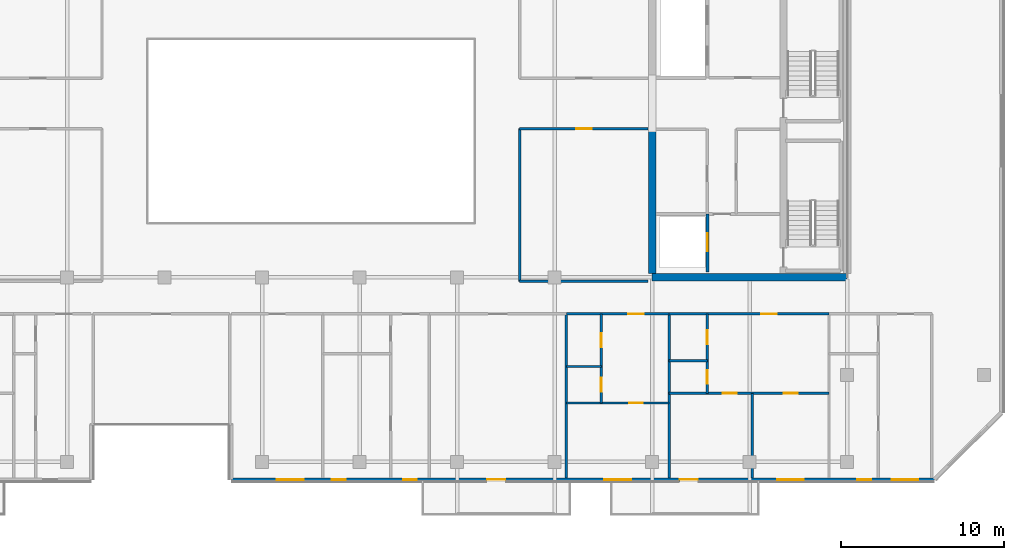
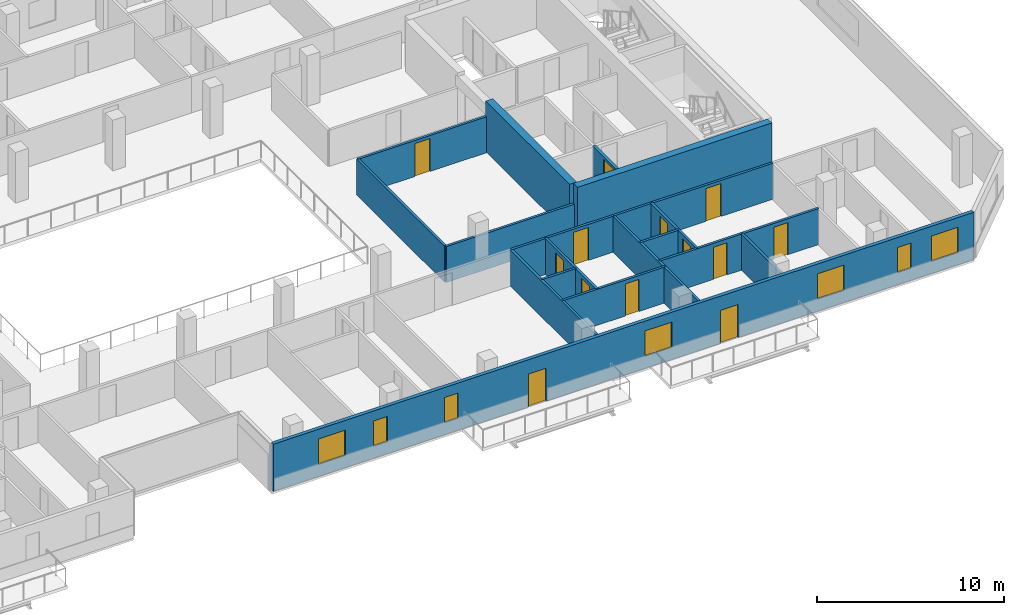
# One storey, part 8 of 16: 18 walls, 13 doors, 7 windows, 20 openings.
"""IFC4 building model written with IfcOpenShell, lengths in metres."""

from ifc_helpers import new_model, si_unit, direction, frame, frame_2d, origin, place, context, subcontext, project, spatial, rectangle, extrude, material, layer, layer_set, type_object, element, fill, save


model = new_model("IFC4")

# Units and contexts
model_context = context("Model", 3, precision=1e-05, world=origin(), true_north=direction((0.0, 1.0)))
body_context = subcontext(model_context, "Body", "Model", "MODEL_VIEW")
ifc_project = project(units=[si_unit("LENGTHUNIT", "METRE"), si_unit("AREAUNIT", "SQUARE_METRE"), si_unit("VOLUMEUNIT", "CUBIC_METRE"), si_unit("PLANEANGLEUNIT", "RADIAN"), si_unit("MASSUNIT", "GRAM", prefix="KILO")], contexts=[model_context])

# Site, building, storey
site_placement = place(None, origin())
site = spatial("IfcSite", under=ifc_project, at=site_placement, CompositionType="ELEMENT")
building_placement = place(site_placement, origin())
building = spatial("IfcBuilding", under=site, at=building_placement, Name="Tanjung Sevakor Pilgrim Tower", CompositionType="ELEMENT")
storey_placement = place(building_placement, frame((0.0, 0.0, 198.330078125)))
storey = spatial("IfcBuildingStorey", under=building, at=storey_placement, Name="L55", CompositionType="ELEMENT", Elevation=198.330078125)

# Walls
ifc_material_1 = material(Name="Concrete C60/75", Category="concrete")
ifc_layer_1 = layer(ifc_material_1, 0.449951171875)
ifc_layer_set_1 = layer_set([ifc_layer_1], Name="WALL-CW-450")
wall_type_1 = type_object("IfcWallType", Name="WALL-CW-450", PredefinedType="SHEAR", material=ifc_layer_set_1)
wall_1_placement = place(storey_placement, frame((78.0, 24.60009765625, 0.0), z_axis=(0.0, 0.0, 1.0), x_axis=(1.0, 0.0, 0.0)))
element("IfcWall", 1, at=wall_1_placement, inside=storey, type_object=wall_type_1, Name="L55 E Core South Shear Wall", PredefinedType="SHEAR", context=body_context, shape_type="SweptSolid", body=[
    extrude(rectangle(XDim=12.0, YDim=0.449951171875, at=frame_2d((6.0, 0.0))), origin(), (0.0, 0.0, 1.0), 3.2998046875),
])
wall_2_placement = place(storey_placement, frame((78.0, 24.824951171875, 0.0), z_axis=(0.0, 0.0, 1.0), x_axis=(0.0, 1.0, 0.0)))
element("IfcWall", 2, at=wall_2_placement, inside=storey, type_object=wall_type_1, Name="L55 E Core Inner Shear Wall South", PredefinedType="SHEAR", context=body_context, shape_type="SweptSolid", body=[
    extrude(rectangle(XDim=8.97509765625, YDim=0.449951171875, at=frame_2d((4.487548828125, 0.0))), origin(), (0.0, 0.0, 1.0), 3.2998046875),
])
ifc_material_2 = material(Name="Concrete C40/50", Category="concrete")
ifc_layer_2 = layer(ifc_material_2, 0.14990234375)
ifc_layer_set_2 = layer_set([ifc_layer_2], Name="WT-COMP-150")
wall_type_2 = type_object("IfcWallType", Name="WT-COMP-150", PredefinedType="SOLIDWALL", material=ifc_layer_set_2)
wall_3_placement = place(storey_placement, frame((69.85009765625, 24.35009765625, 0.0), z_axis=(0.0, 0.0, 1.0), x_axis=(1.0, 0.0, 0.0)))
element("IfcWall", 3, at=wall_3_placement, inside=storey, type_object=wall_type_2, Name="L55 Partition IW-L55-025", PredefinedType="SOLIDWALL", context=body_context, shape_type="SweptSolid", body=[
    extrude(rectangle(XDim=7.90478515625, YDim=0.14990234375, at=frame_2d((3.952392578125, 0.0))), origin(), (0.0, 0.0, 1.0), 2.35009765625),
])

# Wall, opening, door
wall_4_placement = place(storey_placement, frame((69.85009765625, 33.75, 0.0), z_axis=(0.0, 0.0, 1.0), x_axis=(1.0, 0.0, 0.0)))
wall_4 = element("IfcWall", 4, at=wall_4_placement, inside=storey, type_object=wall_type_2, Name="L55 Partition IW-L55-026", PredefinedType="SOLIDWALL", context=body_context, shape_type="SweptSolid", body=[
    extrude(rectangle(XDim=7.90478515625, YDim=0.14990234375, at=frame_2d((3.952392578125, 0.0))), origin(), (0.0, 0.0, 1.0), 2.35009765625),
])
opening_1_placement = place(wall_4_placement, frame((3.4775390625, 0.0, 0.0)))
opening_1 = element("IfcOpeningElement", 5, at=opening_1_placement, cuts=wall_4, Name="Opening ID-RM1", PredefinedType="OPENING", context=body_context, shape_type="SweptSolid", body=[
    extrude(rectangle(XDim=0.949951171875, YDim=2.14990234375, at=frame_2d((0.47509765625, 1.074951171875))), frame((0.0, 0.0849609375, 0.0), z_axis=(0.0, -1.0, 0.0), x_axis=(1.0, 0.0, 0.0)), (0.0, 0.0, 1.0), 0.169921875),
])
ifc_material_3 = material(Name="Hardwood Timber", Category="wood")
door_type_1 = type_object("IfcDoorType", Name="DT-INT-950", OperationType="NOTDEFINED", PredefinedType="DOOR", material=ifc_material_3)
door_1_placement = place(opening_1_placement, origin())
door_1 = element("IfcDoor", 6, at=door_1_placement, inside=storey, type_object=door_type_1, Name="L55 East Inboard South Door", OperationType="SINGLE_SWING_RIGHT", OverallHeight=2.14990234375, OverallWidth=0.949951171875, PredefinedType="DOOR", context=body_context, shape_type="SweptSolid", body=[
    extrude(rectangle(XDim=0.949951171875, YDim=2.14990234375, at=frame_2d((0.47509765625, 1.074951171875))), frame((0.0, 0.02490234375, 0.0), z_axis=(0.0, -1.0, 0.0), x_axis=(1.0, 0.0, 0.0)), (0.0, 0.0, 1.0), 0.050048828125),
])
fill(opening_1, door_1)

# Walls
wall_5_placement = place(storey_placement, frame((69.85009765625, 24.35009765625, 0.0), z_axis=(0.0, 0.0, 1.0), x_axis=(0.0, 1.0, 0.0)))
element("IfcWall", 7, at=wall_5_placement, inside=storey, type_object=wall_type_2, Name="L55 Partition IW-L55-027", PredefinedType="SOLIDWALL", context=body_context, shape_type="SweptSolid", body=[
    extrude(rectangle(XDim=9.39990234375, YDim=0.14990234375, at=frame_2d((4.699951171875, 0.0))), origin(), (0.0, 0.0, 1.0), 2.35009765625),
])
for number, where, z_axis, x_axis, name in (
    (8, (72.723388671875, 12.27001953125, 0.0), (0.0, 0.0, 1.0), (0.0, 1.0, 0.0), "L55 Partition IW-L55-058"),
    (9, (79.044921875, 12.27001953125, 0.0), (0.0, 0.0, 1.0), (0.0, 1.0, 0.0), "L55 Partition IW-L55-060"),
):
    element("IfcWall", number, at=place(storey_placement, frame(where, z_axis=z_axis, x_axis=x_axis)), inside=storey, type_object=wall_type_2, Name=name, PredefinedType="SOLIDWALL", context=body_context, shape_type="SweptSolid", body=[
        extrude(rectangle(XDim=10.080078125, YDim=0.14990234375, at=frame_2d((5.0400390625, 0.0))), origin(), (0.0, 0.0, 1.0), 2.35009765625),
    ])

# Wall, opening, door
wall_6_placement = place(storey_placement, frame((72.723388671875, 22.35009765625, 0.0), z_axis=(0.0, 0.0, 1.0), x_axis=(1.0, 0.0, 0.0)))
wall_6 = element("IfcWall", 10, at=wall_6_placement, inside=storey, type_object=wall_type_2, Name="L55 Partition IW-L55-064", PredefinedType="SOLIDWALL", context=body_context, shape_type="SweptSolid", body=[
    extrude(rectangle(XDim=6.321533203125, YDim=0.14990234375, at=frame_2d((3.16064453125, 0.0))), origin(), (0.0, 0.0, 1.0), 2.35009765625),
])
opening_2_placement = place(wall_6_placement, frame((3.80029296875, 0.0, 0.0)))
opening_2 = element("IfcOpeningElement", 11, at=opening_2_placement, cuts=wall_6, Name="Opening ID-FD2", PredefinedType="OPENING", context=body_context, shape_type="SweptSolid", body=[
    extrude(rectangle(XDim=0.949951171875, YDim=2.14990234375, at=frame_2d((0.47509765625, 1.074951171875))), frame((0.0, 0.0849609375, 0.0), z_axis=(0.0, -1.0, 0.0), x_axis=(1.0, 0.0, 0.0)), (0.0, 0.0, 1.0), 0.169921875),
])
ifc_material_4 = material(Name="Fire-Rated Timber", Category="wood")
door_type_2 = type_object("IfcDoorType", Name="DT-FIRE-950", OperationType="NOTDEFINED", PredefinedType="DOOR", material=ifc_material_4)
door_2_placement = place(opening_2_placement, origin())
door_2 = element("IfcDoor", 12, at=door_2_placement, inside=storey, type_object=door_type_2, Name="Residence Entrance", OperationType="SINGLE_SWING_LEFT", OverallHeight=2.14990234375, OverallWidth=0.949951171875, PredefinedType="DOOR", context=body_context, shape_type="SweptSolid", body=[
    extrude(rectangle(XDim=0.949951171875, YDim=2.14990234375, at=frame_2d((0.47509765625, 1.074951171875))), frame((0.0, 0.02490234375, 0.0), z_axis=(0.0, -1.0, 0.0), x_axis=(1.0, 0.0, 0.0)), (0.0, 0.0, 1.0), 0.050048828125),
])
fill(opening_2, door_2)

wall_7_placement = place(storey_placement, frame((79.044921875, 22.35009765625, 0.0), z_axis=(0.0, 0.0, 1.0), x_axis=(1.0, 0.0, 0.0)))
wall_7 = element("IfcWall", 13, at=wall_7_placement, inside=storey, type_object=wall_type_2, Name="L55 Partition IW-L55-070", PredefinedType="SOLIDWALL", context=body_context, shape_type="SweptSolid", body=[
    extrude(rectangle(XDim=9.83349609375, YDim=0.14990234375, at=frame_2d((4.916748046875, 0.0))), origin(), (0.0, 0.0, 1.0), 2.35009765625),
])
opening_3_placement = place(wall_7_placement, frame((5.65673828125, 0.0, 0.0)))
opening_3 = element("IfcOpeningElement", 14, at=opening_3_placement, cuts=wall_7, Name="Opening ID-FD2", PredefinedType="OPENING", context=body_context, shape_type="SweptSolid", body=[
    extrude(rectangle(XDim=0.949951171875, YDim=2.14990234375, at=frame_2d((0.47509765625, 1.074951171875))), frame((0.0, 0.0849609375, 0.0), z_axis=(0.0, -1.0, 0.0), x_axis=(1.0, 0.0, 0.0)), (0.0, 0.0, 1.0), 0.169921875),
])
door_3_placement = place(opening_3_placement, origin())
door_3 = element("IfcDoor", 15, at=door_3_placement, inside=storey, type_object=door_type_2, Name="Suite Entrance", OperationType="SINGLE_SWING_RIGHT", OverallHeight=2.14990234375, OverallWidth=0.949951171875, PredefinedType="DOOR", context=body_context, shape_type="SweptSolid", body=[
    extrude(rectangle(XDim=0.949951171875, YDim=2.14990234375, at=frame_2d((0.47509765625, 1.074951171875))), frame((0.0, 0.02490234375, 0.0), z_axis=(0.0, -1.0, 0.0), x_axis=(1.0, 0.0, 0.0)), (0.0, 0.0, 1.0), 0.050048828125),
])
fill(opening_3, door_3)

# Wall, openings, doors, windows
ifc_material_5 = material(Name="Precast concrete C45/55", Category="concrete")
ifc_layer_3 = layer(ifc_material_5, 0.219970703125)
ifc_layer_set_3 = layer_set([ifc_layer_3], Name="WT-EW-STN4")
wall_type_3 = type_object("IfcWallType", Name="WT-EW-STN4", PredefinedType="SOLIDWALL", material=ifc_layer_set_3)
wall_8_placement = place(storey_placement, frame((52.110107421875, 12.159912109375, 0.0), z_axis=(0.0, 0.0, 1.0), x_axis=(1.0, 0.0, 0.0)))
wall_8 = element("IfcWall", 16, at=wall_8_placement, inside=storey, type_object=wall_type_3, Name="L55 MAIN Exterior Wall 5", PredefinedType="SOLIDWALL", context=body_context, shape_type="SweptSolid", body=[
    extrude(rectangle(XDim=43.244384765625, YDim=0.219970703125, at=frame_2d((21.6220703125, 0.0))), origin(), (0.0, 0.0, 1.0), 3.080078125),
])
opening_4_placement = place(wall_8_placement, frame((15.739990234375, 0.0, 0.0)))
opening_4 = element("IfcOpeningElement", 17, at=opening_4_placement, cuts=wall_8, Name="Opening ED-BAL-1100", PredefinedType="OPENING", context=body_context, shape_type="SweptSolid", body=[
    extrude(rectangle(XDim=1.10009765625, YDim=2.14990234375, at=frame_2d((0.550048828125, 1.074951171875))), frame((0.0, 0.119873046875, 0.0), z_axis=(0.0, -1.0, 0.0), x_axis=(1.0, 0.0, 0.0)), (0.0, 0.0, 1.0), 0.239990234375),
])
opening_5_placement = place(wall_8_placement, frame((27.590087890625, 0.0, 0.0)))
opening_5 = element("IfcOpeningElement", 18, at=opening_5_placement, cuts=wall_8, Name="Opening ED-BAL-1100", PredefinedType="OPENING", context=body_context, shape_type="SweptSolid", body=[
    extrude(rectangle(XDim=1.10009765625, YDim=2.14990234375, at=frame_2d((0.550048828125, 1.074951171875))), frame((0.0, 0.119873046875, 0.0), z_axis=(0.0, -1.0, 0.0), x_axis=(1.0, 0.0, 0.0)), (0.0, 0.0, 1.0), 0.239990234375),
])
opening_6_placement = place(wall_8_placement, frame((2.794677734375, 0.0, 0.780029296875)))
opening_6 = element("IfcOpeningElement", 19, at=opening_6_placement, cuts=wall_8, Name="Opening WN-Z4-1660", PredefinedType="OPENING", context=body_context, shape_type="SweptSolid", body=[
    extrude(rectangle(XDim=1.64990234375, YDim=1.659912109375, at=frame_2d((0.824951171875, 0.830078125))), frame((0.0, 0.119873046875, 0.0), z_axis=(0.0, -1.0, 0.0), x_axis=(1.0, 0.0, 0.0)), (0.0, 0.0, 1.0), 0.239990234375),
])
opening_7_placement = place(wall_8_placement, frame((6.1845703125, 0.0, 0.780029296875)))
opening_7 = element("IfcOpeningElement", 20, at=opening_7_placement, cuts=wall_8, Name="Opening WN-SLM", PredefinedType="OPENING", context=body_context, shape_type="SweptSolid", body=[
    extrude(rectangle(XDim=0.85009765625, YDim=1.64990234375, at=frame_2d((0.425048828125, 0.824951171875))), frame((0.0, 0.119873046875, 0.0), z_axis=(0.0, -1.0, 0.0), x_axis=(1.0, 0.0, 0.0)), (0.0, 0.0, 1.0), 0.239990234375),
])
opening_8_placement = place(wall_8_placement, frame((10.5625, 0.0, 0.780029296875)))
opening_8 = element("IfcOpeningElement", 21, at=opening_8_placement, cuts=wall_8, Name="Opening WN-SLM", PredefinedType="OPENING", context=body_context, shape_type="SweptSolid", body=[
    extrude(rectangle(XDim=0.85009765625, YDim=1.64990234375, at=frame_2d((0.425048828125, 0.824951171875))), frame((0.0, 0.119873046875, 0.0), z_axis=(0.0, -1.0, 0.0), x_axis=(1.0, 0.0, 0.0)), (0.0, 0.0, 1.0), 0.239990234375),
])
opening_9_placement = place(wall_8_placement, frame((22.94921875, 0.0, 0.780029296875)))
opening_9 = element("IfcOpeningElement", 22, at=opening_9_placement, cuts=wall_8, Name="Opening WN-Z4-1660", PredefinedType="OPENING", context=body_context, shape_type="SweptSolid", body=[
    extrude(rectangle(XDim=1.64990234375, YDim=1.659912109375, at=frame_2d((0.824951171875, 0.830078125))), frame((0.0, 0.119873046875, 0.0), z_axis=(0.0, -1.0, 0.0), x_axis=(1.0, 0.0, 0.0)), (0.0, 0.0, 1.0), 0.239990234375),
])
opening_10_placement = place(wall_8_placement, frame((33.573486328125, 0.0, 0.780029296875)))
opening_10 = element("IfcOpeningElement", 23, at=opening_10_placement, cuts=wall_8, Name="Opening WN-Z4-1660", PredefinedType="OPENING", context=body_context, shape_type="SweptSolid", body=[
    extrude(rectangle(XDim=1.64990234375, YDim=1.659912109375, at=frame_2d((0.824951171875, 0.830078125))), frame((0.0, 0.119873046875, 0.0), z_axis=(0.0, -1.0, 0.0), x_axis=(1.0, 0.0, 0.0)), (0.0, 0.0, 1.0), 0.239990234375),
])
opening_11_placement = place(wall_8_placement, frame((38.514404296875, 0.0, 0.780029296875)))
opening_11 = element("IfcOpeningElement", 24, at=opening_11_placement, cuts=wall_8, Name="Opening WN-SLM", PredefinedType="OPENING", context=body_context, shape_type="SweptSolid", body=[
    extrude(rectangle(XDim=0.85009765625, YDim=1.64990234375, at=frame_2d((0.425048828125, 0.824951171875))), frame((0.0, 0.119873046875, 0.0), z_axis=(0.0, -1.0, 0.0), x_axis=(1.0, 0.0, 0.0)), (0.0, 0.0, 1.0), 0.239990234375),
])
opening_12_placement = place(wall_8_placement, frame((40.614990234375, 0.0, 0.780029296875)))
opening_12 = element("IfcOpeningElement", 25, at=opening_12_placement, cuts=wall_8, Name="Opening WN-Z4-1660", PredefinedType="OPENING", context=body_context, shape_type="SweptSolid", body=[
    extrude(rectangle(XDim=1.64990234375, YDim=1.659912109375, at=frame_2d((0.824951171875, 0.830078125))), frame((0.0, 0.119873046875, 0.0), z_axis=(0.0, -1.0, 0.0), x_axis=(1.0, 0.0, 0.0)), (0.0, 0.0, 1.0), 0.239990234375),
])
ifc_material_6 = material(Name="Anodised Aluminium and Laminated Glass", Category="aluminium")
door_type_3 = type_object("IfcDoorType", Name="DTYP-ED-BAL-1100", OperationType="NOTDEFINED", PredefinedType="DOOR", material=ifc_material_6)
door_4_placement = place(opening_4_placement, frame((1.10009765625, 0.0, 0.0), z_axis=(0.0, 0.0, 1.0), x_axis=(-1.0, 0.0, 0.0)))
door_4 = element("IfcDoor", 26, at=door_4_placement, inside=storey, type_object=door_type_3, Name="L55 Balcony Door MAIN-S2", OperationType="SINGLE_SWING_RIGHT", OverallHeight=2.14990234375, OverallWidth=1.10009765625, PredefinedType="DOOR", context=body_context, shape_type="SweptSolid", body=[
    extrude(rectangle(XDim=1.10009765625, YDim=2.14990234375, at=frame_2d((0.550048828125, 1.074951171875))), frame((0.0, 0.02490234375, 0.0), z_axis=(0.0, -1.0, 0.0), x_axis=(1.0, 0.0, 0.0)), (0.0, 0.0, 1.0), 0.050048828125),
])
fill(opening_4, door_4)
door_5_placement = place(opening_5_placement, frame((1.10009765625, 0.0, 0.0), z_axis=(0.0, 0.0, 1.0), x_axis=(-1.0, 0.0, 0.0)))
door_5 = element("IfcDoor", 27, at=door_5_placement, inside=storey, type_object=door_type_3, Name="L55 Balcony Door MAIN-S3", OperationType="SINGLE_SWING_LEFT", OverallHeight=2.14990234375, OverallWidth=1.10009765625, PredefinedType="DOOR", context=body_context, shape_type="SweptSolid", body=[
    extrude(rectangle(XDim=1.10009765625, YDim=2.14990234375, at=frame_2d((0.550048828125, 1.074951171875))), frame((0.0, 0.02490234375, 0.0), z_axis=(0.0, -1.0, 0.0), x_axis=(1.0, 0.0, 0.0)), (0.0, 0.0, 1.0), 0.050048828125),
])
fill(opening_5, door_5)
ifc_material_7 = material(Name="Thermally Broken Aluminium and Low-E Glass", Category="aluminium")
window_type_1 = type_object("IfcWindowType", Name="WTYP-WN-SLM", PartitioningType="SINGLE_PANEL", PredefinedType="WINDOW", material=ifc_material_7)
window_1_placement = place(opening_7_placement, origin())
window_1 = element("IfcWindow", 28, at=window_1_placement, inside=storey, type_object=window_type_1, Name="L55 Facade Window 02", OverallHeight=1.64990234375, OverallWidth=0.85009765625, PartitioningType="SINGLE_PANEL", PredefinedType="WINDOW", context=body_context, shape_type="SweptSolid", body=[
    extrude(rectangle(XDim=0.85009765625, YDim=1.64990234375, at=frame_2d((0.425048828125, 0.824951171875))), frame((0.0, 0.030029296875, 0.0), z_axis=(0.0, -1.0, 0.0), x_axis=(1.0, 0.0, 0.0)), (0.0, 0.0, 1.0), 0.06005859375),
])
fill(opening_7, window_1)
window_2_placement = place(opening_8_placement, origin())
window_2 = element("IfcWindow", 29, at=window_2_placement, inside=storey, type_object=window_type_1, Name="L55 Facade Window 03", OverallHeight=1.64990234375, OverallWidth=0.85009765625, PartitioningType="SINGLE_PANEL", PredefinedType="WINDOW", context=body_context, shape_type="SweptSolid", body=[
    extrude(rectangle(XDim=0.85009765625, YDim=1.64990234375, at=frame_2d((0.425048828125, 0.824951171875))), frame((0.0, 0.030029296875, 0.0), z_axis=(0.0, -1.0, 0.0), x_axis=(1.0, 0.0, 0.0)), (0.0, 0.0, 1.0), 0.06005859375),
])
fill(opening_8, window_2)
window_3_placement = place(opening_11_placement, origin())
window_3 = element("IfcWindow", 30, at=window_3_placement, inside=storey, type_object=window_type_1, Name="L55 Facade Window 06", OverallHeight=1.64990234375, OverallWidth=0.85009765625, PartitioningType="SINGLE_PANEL", PredefinedType="WINDOW", context=body_context, shape_type="SweptSolid", body=[
    extrude(rectangle(XDim=0.85009765625, YDim=1.64990234375, at=frame_2d((0.425048828125, 0.824951171875))), frame((0.0, 0.030029296875, 0.0), z_axis=(0.0, -1.0, 0.0), x_axis=(1.0, 0.0, 0.0)), (0.0, 0.0, 1.0), 0.06005859375),
])
fill(opening_11, window_3)
ifc_material_8 = material(Name="Thermally Broken Aluminium and Low-E Glass", Category="aluminium")
window_type_2 = type_object("IfcWindowType", Name="WTYP-WN-Z4-1660", PartitioningType="DOUBLE_PANEL_VERTICAL", PredefinedType="WINDOW", material=ifc_material_8)
window_4_placement = place(opening_6_placement, origin())
window_4 = element("IfcWindow", 31, at=window_4_placement, inside=storey, type_object=window_type_2, Name="L55 Facade Window 01", OverallHeight=1.659912109375, OverallWidth=1.64990234375, PartitioningType="SINGLE_PANEL", PredefinedType="WINDOW", context=body_context, shape_type="SweptSolid", body=[
    extrude(rectangle(XDim=1.64990234375, YDim=1.659912109375, at=frame_2d((0.824951171875, 0.830078125))), frame((0.0, 0.030029296875, 0.0), z_axis=(0.0, -1.0, 0.0), x_axis=(1.0, 0.0, 0.0)), (0.0, 0.0, 1.0), 0.06005859375),
])
fill(opening_6, window_4)
window_5_placement = place(opening_9_placement, origin())
window_5 = element("IfcWindow", 32, at=window_5_placement, inside=storey, type_object=window_type_2, Name="L55 Facade Window 04", OverallHeight=1.659912109375, OverallWidth=1.64990234375, PartitioningType="SINGLE_PANEL", PredefinedType="WINDOW", context=body_context, shape_type="SweptSolid", body=[
    extrude(rectangle(XDim=1.64990234375, YDim=1.659912109375, at=frame_2d((0.824951171875, 0.830078125))), frame((0.0, 0.030029296875, 0.0), z_axis=(0.0, -1.0, 0.0), x_axis=(1.0, 0.0, 0.0)), (0.0, 0.0, 1.0), 0.06005859375),
])
fill(opening_9, window_5)
window_6_placement = place(opening_10_placement, origin())
window_6 = element("IfcWindow", 33, at=window_6_placement, inside=storey, type_object=window_type_2, Name="L55 Facade Window 05", OverallHeight=1.659912109375, OverallWidth=1.64990234375, PartitioningType="SINGLE_PANEL", PredefinedType="WINDOW", context=body_context, shape_type="SweptSolid", body=[
    extrude(rectangle(XDim=1.64990234375, YDim=1.659912109375, at=frame_2d((0.824951171875, 0.830078125))), frame((0.0, 0.030029296875, 0.0), z_axis=(0.0, -1.0, 0.0), x_axis=(1.0, 0.0, 0.0)), (0.0, 0.0, 1.0), 0.06005859375),
])
fill(opening_10, window_6)
window_7_placement = place(opening_12_placement, origin())
window_7 = element("IfcWindow", 34, at=window_7_placement, inside=storey, type_object=window_type_2, Name="L55 Facade Window 07", OverallHeight=1.659912109375, OverallWidth=1.64990234375, PartitioningType="SINGLE_PANEL", PredefinedType="WINDOW", context=body_context, shape_type="SweptSolid", body=[
    extrude(rectangle(XDim=1.64990234375, YDim=1.659912109375, at=frame_2d((0.824951171875, 0.830078125))), frame((0.0, 0.030029296875, 0.0), z_axis=(0.0, -1.0, 0.0), x_axis=(1.0, 0.0, 0.0)), (0.0, 0.0, 1.0), 0.06005859375),
])
fill(opening_12, window_7)

# Wall, opening, door
ifc_material_9 = material(Name="Concrete C40/50", Category="concrete")
ifc_layer_4 = layer(ifc_material_9, 0.199951171875)
ifc_layer_set_4 = layer_set([ifc_layer_4], Name="WT-FPRT-200")
wall_type_4 = type_object("IfcWallType", Name="WT-FPRT-200", PredefinedType="SOLIDWALL", material=ifc_layer_set_4)
wall_9_placement = place(storey_placement, frame((81.39990234375, 24.919921875, 0.0), z_axis=(0.0, 0.0, 1.0), x_axis=(0.0, 1.0, 0.0)))
wall_9 = element("IfcWall", 35, at=wall_9_placement, inside=storey, type_object=wall_type_4, Name="L55 Partition IW-L55-010", PredefinedType="SOLIDWALL", context=body_context, shape_type="SweptSolid", body=[
    extrude(rectangle(XDim=3.580078125, YDim=0.199951171875, at=frame_2d((1.7900390625, 0.0))), origin(), (0.0, 0.0, 1.0), 2.35009765625),
])
opening_13_placement = place(wall_9_placement, frame((1.300048828125, 0.0, 0.0)))
opening_13 = element("IfcOpeningElement", 36, at=opening_13_placement, cuts=wall_9, Name="Opening LD-1100", PredefinedType="OPENING", context=body_context, shape_type="SweptSolid", body=[
    extrude(rectangle(XDim=1.10009765625, YDim=2.199951171875, at=frame_2d((0.550048828125, 1.10009765625))), frame((0.0, 0.10986328125, 0.0), z_axis=(0.0, -1.0, 0.0), x_axis=(1.0, 0.0, 0.0)), (0.0, 0.0, 1.0), 0.219970703125),
])
ifc_material_10 = material(Name="Brushed Stainless Steel S355J2", Category="steel")
door_type_4 = type_object("IfcDoorType", Name="DT-LIFT-1100", OperationType="SLIDING_TO_LEFT", PredefinedType="DOOR", material=ifc_material_10)
door_6_placement = place(opening_13_placement, origin())
door_6 = element("IfcDoor", 37, at=door_6_placement, inside=storey, type_object=door_type_4, Name="LD-FL-E", OperationType="SLIDING_TO_LEFT", OverallHeight=2.199951171875, OverallWidth=1.10009765625, PredefinedType="DOOR", context=body_context, shape_type="SweptSolid", body=[
    extrude(rectangle(XDim=1.10009765625, YDim=2.199951171875, at=frame_2d((0.550048828125, 1.10009765625))), frame((0.0, 0.02490234375, 0.0), z_axis=(0.0, -1.0, 0.0), x_axis=(1.0, 0.0, 0.0)), (0.0, 0.0, 1.0), 0.050048828125),
])
fill(opening_13, door_6)

# Wall
ifc_material_11 = material(Name="Gypsum Board Partition", Category="gypsum board")
ifc_layer_5 = layer(ifc_material_11, 0.14990234375)
ifc_layer_set_5 = layer_set([ifc_layer_5], Name="WT-PART-150")
wall_type_5 = type_object("IfcWallType", Name="WT-PART-150", PredefinedType="PARTITIONING", material=ifc_layer_set_5)
wall_10_placement = place(storey_placement, frame((72.723388671875, 19.11669921875, 0.0), z_axis=(0.0, 0.0, 1.0), x_axis=(1.0, 0.0, 0.0)))
element("IfcWall", 38, at=wall_10_placement, inside=storey, type_object=wall_type_5, Name="L55 Partition IW-L55-061", PredefinedType="PARTITIONING", context=body_context, shape_type="SweptSolid", body=[
    extrude(rectangle(XDim=2.1494140625, YDim=0.14990234375, at=frame_2d((1.07470703125, 0.0))), origin(), (0.0, 0.0, 1.0), 2.35009765625),
])

# Wall, openings, doors
wall_11_placement = place(storey_placement, frame((74.872802734375, 16.8701171875, 0.0), z_axis=(0.0, 0.0, 1.0), x_axis=(0.0, 1.0, 0.0)))
wall_11 = element("IfcWall", 39, at=wall_11_placement, inside=storey, type_object=wall_type_5, Name="L55 Partition IW-L55-062", PredefinedType="PARTITIONING", context=body_context, shape_type="SweptSolid", body=[
    extrude(rectangle(XDim=5.47998046875, YDim=0.14990234375, at=frame_2d((2.739990234375, 0.0))), origin(), (0.0, 0.0, 1.0), 2.35009765625),
])
opening_14_placement = place(wall_11_placement, frame((0.698486328125, 0.0, 0.0)))
opening_14 = element("IfcOpeningElement", 40, at=opening_14_placement, cuts=wall_11, Name="Opening ID-WC1", PredefinedType="OPENING", context=body_context, shape_type="SweptSolid", body=[
    extrude(rectangle(XDim=0.85009765625, YDim=2.10009765625, at=frame_2d((0.425048828125, 1.050048828125))), frame((0.0, 0.0849609375, 0.0), z_axis=(0.0, -1.0, 0.0), x_axis=(1.0, 0.0, 0.0)), (0.0, 0.0, 1.0), 0.169921875),
])
opening_15_placement = place(wall_11_placement, frame((3.4384765625, 0.0, 0.0)))
opening_15 = element("IfcOpeningElement", 41, at=opening_15_placement, cuts=wall_11, Name="Opening ID-WC1", PredefinedType="OPENING", context=body_context, shape_type="SweptSolid", body=[
    extrude(rectangle(XDim=0.85009765625, YDim=2.10009765625, at=frame_2d((0.425048828125, 1.050048828125))), frame((0.0, 0.0849609375, 0.0), z_axis=(0.0, -1.0, 0.0), x_axis=(1.0, 0.0, 0.0)), (0.0, 0.0, 1.0), 0.169921875),
])
ifc_material_12 = material(Name="Moisture-Resistant Timber", Category="wood")
door_type_5 = type_object("IfcDoorType", Name="DT-INT-850", OperationType="NOTDEFINED", PredefinedType="DOOR", material=ifc_material_12)
door_7_placement = place(opening_14_placement, origin())
door_7 = element("IfcDoor", 42, at=door_7_placement, inside=storey, type_object=door_type_5, Name="Residence Bathroom Door", OperationType="SINGLE_SWING_RIGHT", OverallHeight=2.10009765625, OverallWidth=0.85009765625, PredefinedType="DOOR", context=body_context, shape_type="SweptSolid", body=[
    extrude(rectangle(XDim=0.85009765625, YDim=2.10009765625, at=frame_2d((0.425048828125, 1.050048828125))), frame((0.0, 0.02490234375, 0.0), z_axis=(0.0, -1.0, 0.0), x_axis=(1.0, 0.0, 0.0)), (0.0, 0.0, 1.0), 0.050048828125),
])
fill(opening_14, door_7)
door_8_placement = place(opening_15_placement, origin())
door_8 = element("IfcDoor", 43, at=door_8_placement, inside=storey, type_object=door_type_5, Name="Residence Kitchenette Door", OperationType="SINGLE_SWING_LEFT", OverallHeight=2.10009765625, OverallWidth=0.85009765625, PredefinedType="DOOR", context=body_context, shape_type="SweptSolid", body=[
    extrude(rectangle(XDim=0.85009765625, YDim=2.10009765625, at=frame_2d((0.425048828125, 1.050048828125))), frame((0.0, 0.02490234375, 0.0), z_axis=(0.0, -1.0, 0.0), x_axis=(1.0, 0.0, 0.0)), (0.0, 0.0, 1.0), 0.050048828125),
])
fill(opening_15, door_8)

# Wall, opening, door
wall_12_placement = place(storey_placement, frame((72.723388671875, 16.8701171875, 0.0), z_axis=(0.0, 0.0, 1.0), x_axis=(1.0, 0.0, 0.0)))
wall_12 = element("IfcWall", 44, at=wall_12_placement, inside=storey, type_object=wall_type_5, Name="L55 Partition IW-L55-063", PredefinedType="PARTITIONING", context=body_context, shape_type="SweptSolid", body=[
    extrude(rectangle(XDim=6.321533203125, YDim=0.14990234375, at=frame_2d((3.16064453125, 0.0))), origin(), (0.0, 0.0, 1.0), 2.35009765625),
])
opening_16_placement = place(wall_12_placement, frame((3.850341796875, 0.0, 0.0)))
opening_16 = element("IfcOpeningElement", 45, at=opening_16_placement, cuts=wall_12, Name="Opening ID-WC1", PredefinedType="OPENING", context=body_context, shape_type="SweptSolid", body=[
    extrude(rectangle(XDim=0.85009765625, YDim=2.10009765625, at=frame_2d((0.425048828125, 1.050048828125))), frame((0.0, 0.0849609375, 0.0), z_axis=(0.0, -1.0, 0.0), x_axis=(1.0, 0.0, 0.0)), (0.0, 0.0, 1.0), 0.169921875),
])
door_9_placement = place(opening_16_placement, origin())
door_9 = element("IfcDoor", 46, at=door_9_placement, inside=storey, type_object=door_type_5, Name="Residence Bedroom Door", OperationType="SINGLE_SWING_RIGHT", OverallHeight=2.10009765625, OverallWidth=0.85009765625, PredefinedType="DOOR", context=body_context, shape_type="SweptSolid", body=[
    extrude(rectangle(XDim=0.85009765625, YDim=2.10009765625, at=frame_2d((0.425048828125, 1.050048828125))), frame((0.0, 0.02490234375, 0.0), z_axis=(0.0, -1.0, 0.0), x_axis=(1.0, 0.0, 0.0)), (0.0, 0.0, 1.0), 0.050048828125),
])
fill(opening_16, door_9)

# Wall
wall_13_placement = place(storey_placement, frame((79.044921875, 19.470703125, 0.0), z_axis=(0.0, 0.0, 1.0), x_axis=(1.0, 0.0, 0.0)))
element("IfcWall", 47, at=wall_13_placement, inside=storey, type_object=wall_type_5, Name="L55 Partition IW-L55-066", PredefinedType="PARTITIONING", context=body_context, shape_type="SweptSolid", body=[
    extrude(rectangle(XDim=2.35009765625, YDim=0.14990234375, at=frame_2d((1.175048828125, 0.0))), origin(), (0.0, 0.0, 1.0), 2.35009765625),
])

# Wall, openings, doors
wall_14_placement = place(storey_placement, frame((81.39501953125, 17.469970703125, 0.0), z_axis=(0.0, 0.0, 1.0), x_axis=(0.0, 1.0, 0.0)))
wall_14 = element("IfcWall", 48, at=wall_14_placement, inside=storey, type_object=wall_type_5, Name="L55 Partition IW-L55-067", PredefinedType="PARTITIONING", context=body_context, shape_type="SweptSolid", body=[
    extrude(rectangle(XDim=4.880126953125, YDim=0.14990234375, at=frame_2d((2.43994140625, 0.0))), origin(), (0.0, 0.0, 1.0), 2.35009765625),
])
opening_17_placement = place(wall_14_placement, frame((0.575439453125, 0.0, 0.0)))
opening_17 = element("IfcOpeningElement", 49, at=opening_17_placement, cuts=wall_14, Name="Opening ID-WC1", PredefinedType="OPENING", context=body_context, shape_type="SweptSolid", body=[
    extrude(rectangle(XDim=0.85009765625, YDim=2.10009765625, at=frame_2d((0.425048828125, 1.050048828125))), frame((0.0, 0.0849609375, 0.0), z_axis=(0.0, -1.0, 0.0), x_axis=(1.0, 0.0, 0.0)), (0.0, 0.0, 1.0), 0.169921875),
])
opening_18_placement = place(wall_14_placement, frame((3.015380859375, 0.0, 0.0)))
opening_18 = element("IfcOpeningElement", 50, at=opening_18_placement, cuts=wall_14, Name="Opening ID-WC1", PredefinedType="OPENING", context=body_context, shape_type="SweptSolid", body=[
    extrude(rectangle(XDim=0.85009765625, YDim=2.10009765625, at=frame_2d((0.425048828125, 1.050048828125))), frame((0.0, 0.0849609375, 0.0), z_axis=(0.0, -1.0, 0.0), x_axis=(1.0, 0.0, 0.0)), (0.0, 0.0, 1.0), 0.169921875),
])
door_10_placement = place(opening_17_placement, origin())
door_10 = element("IfcDoor", 51, at=door_10_placement, inside=storey, type_object=door_type_5, Name="Suite Bathroom Door", OperationType="SINGLE_SWING_RIGHT", OverallHeight=2.10009765625, OverallWidth=0.85009765625, PredefinedType="DOOR", context=body_context, shape_type="SweptSolid", body=[
    extrude(rectangle(XDim=0.85009765625, YDim=2.10009765625, at=frame_2d((0.425048828125, 1.050048828125))), frame((0.0, 0.02490234375, 0.0), z_axis=(0.0, -1.0, 0.0), x_axis=(1.0, 0.0, 0.0)), (0.0, 0.0, 1.0), 0.050048828125),
])
fill(opening_17, door_10)
door_11_placement = place(opening_18_placement, origin())
door_11 = element("IfcDoor", 52, at=door_11_placement, inside=storey, type_object=door_type_5, Name="Suite Kitchenette Door", OperationType="SINGLE_SWING_LEFT", OverallHeight=2.10009765625, OverallWidth=0.85009765625, PredefinedType="DOOR", context=body_context, shape_type="SweptSolid", body=[
    extrude(rectangle(XDim=0.85009765625, YDim=2.10009765625, at=frame_2d((0.425048828125, 1.050048828125))), frame((0.0, 0.02490234375, 0.0), z_axis=(0.0, -1.0, 0.0), x_axis=(1.0, 0.0, 0.0)), (0.0, 0.0, 1.0), 0.050048828125),
])
fill(opening_18, door_11)

# Wall
wall_15_placement = place(storey_placement, frame((84.158447265625, 12.27001953125, 0.0), z_axis=(0.0, 0.0, 1.0), x_axis=(0.0, 1.0, 0.0)))
element("IfcWall", 53, at=wall_15_placement, inside=storey, type_object=wall_type_5, Name="L55 Partition IW-L55-068", PredefinedType="PARTITIONING", context=body_context, shape_type="SweptSolid", body=[
    extrude(rectangle(XDim=5.199951171875, YDim=0.14990234375, at=frame_2d((2.60009765625, 0.0))), origin(), (0.0, 0.0, 1.0), 2.35009765625),
])

# Wall, openings, doors
wall_16_placement = place(storey_placement, frame((79.044921875, 17.469970703125, 0.0), z_axis=(0.0, 0.0, 1.0), x_axis=(1.0, 0.0, 0.0)))
wall_16 = element("IfcWall", 54, at=wall_16_placement, inside=storey, type_object=wall_type_5, Name="L55 Partition IW-L55-069", PredefinedType="PARTITIONING", context=body_context, shape_type="SweptSolid", body=[
    extrude(rectangle(XDim=9.83349609375, YDim=0.14990234375, at=frame_2d((4.916748046875, 0.0))), origin(), (0.0, 0.0, 1.0), 2.35009765625),
])
opening_19_placement = place(wall_16_placement, frame((3.306640625, 0.0, 0.0)))
opening_19 = element("IfcOpeningElement", 55, at=opening_19_placement, cuts=wall_16, Name="Opening ID-WC1", PredefinedType="OPENING", context=body_context, shape_type="SweptSolid", body=[
    extrude(rectangle(XDim=0.85009765625, YDim=2.10009765625, at=frame_2d((0.425048828125, 1.050048828125))), frame((0.0, 0.0849609375, 0.0), z_axis=(0.0, -1.0, 0.0), x_axis=(1.0, 0.0, 0.0)), (0.0, 0.0, 1.0), 0.169921875),
])
opening_20_placement = place(wall_16_placement, frame((7.04833984375, 0.0, 0.0)))
opening_20 = element("IfcOpeningElement", 56, at=opening_20_placement, cuts=wall_16, Name="Opening ID-WC1", PredefinedType="OPENING", context=body_context, shape_type="SweptSolid", body=[
    extrude(rectangle(XDim=0.85009765625, YDim=2.10009765625, at=frame_2d((0.425048828125, 1.050048828125))), frame((0.0, 0.0849609375, 0.0), z_axis=(0.0, -1.0, 0.0), x_axis=(1.0, 0.0, 0.0)), (0.0, 0.0, 1.0), 0.169921875),
])
door_12_placement = place(opening_19_placement, origin())
door_12 = element("IfcDoor", 57, at=door_12_placement, inside=storey, type_object=door_type_5, Name="Suite Bedroom 1 Door", OperationType="SINGLE_SWING_RIGHT", OverallHeight=2.10009765625, OverallWidth=0.85009765625, PredefinedType="DOOR", context=body_context, shape_type="SweptSolid", body=[
    extrude(rectangle(XDim=0.85009765625, YDim=2.10009765625, at=frame_2d((0.425048828125, 1.050048828125))), frame((0.0, 0.02490234375, 0.0), z_axis=(0.0, -1.0, 0.0), x_axis=(1.0, 0.0, 0.0)), (0.0, 0.0, 1.0), 0.050048828125),
])
fill(opening_19, door_12)
door_13_placement = place(opening_20_placement, origin())
door_13 = element("IfcDoor", 58, at=door_13_placement, inside=storey, type_object=door_type_5, Name="Suite Bedroom 2 Door", OperationType="SINGLE_SWING_LEFT", OverallHeight=2.10009765625, OverallWidth=0.85009765625, PredefinedType="DOOR", context=body_context, shape_type="SweptSolid", body=[
    extrude(rectangle(XDim=0.85009765625, YDim=2.10009765625, at=frame_2d((0.425048828125, 1.050048828125))), frame((0.0, 0.02490234375, 0.0), z_axis=(0.0, -1.0, 0.0), x_axis=(1.0, 0.0, 0.0)), (0.0, 0.0, 1.0), 0.050048828125),
])
fill(opening_20, door_13)

save(model, "model.ifc")
